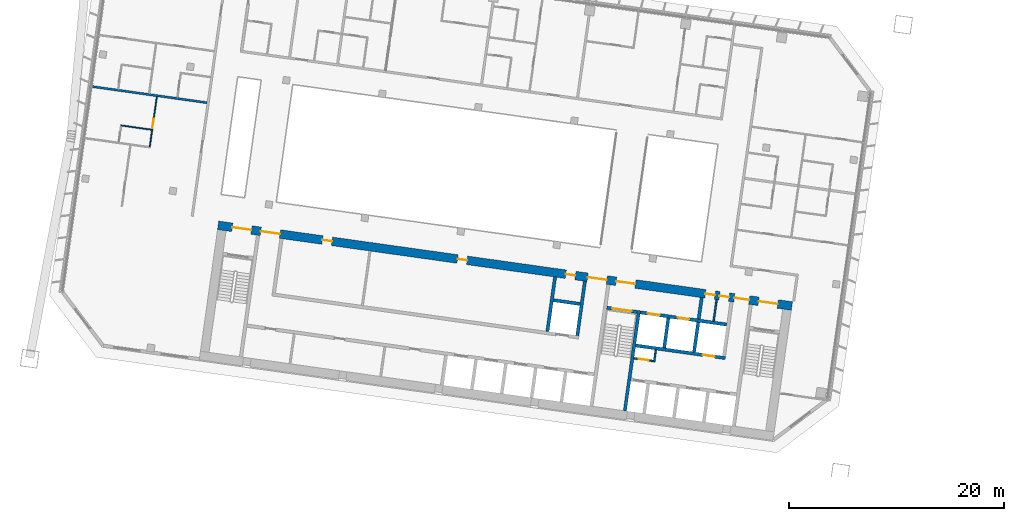
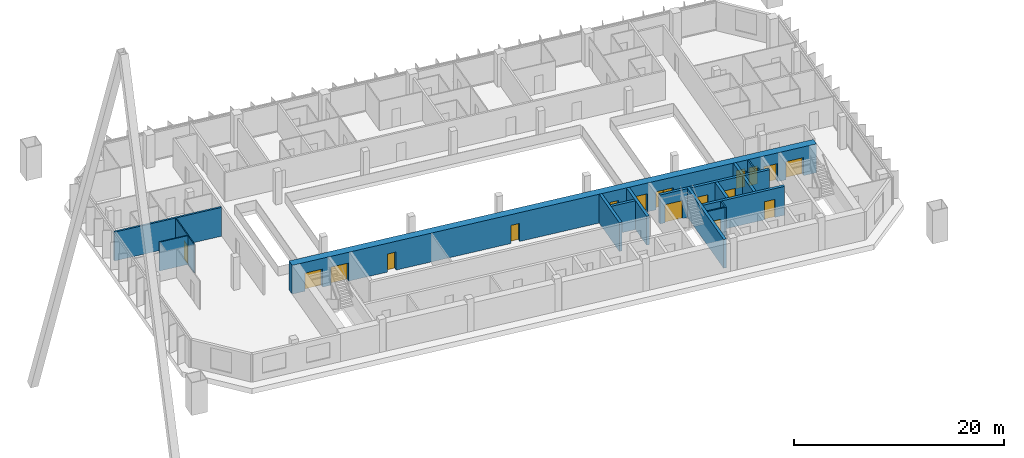
# One storey, part 22 of 33: 17 doors, 17 walls, 17 openings.
"""IFC4 building model written with IfcOpenShell, lengths in metres."""

from ifc_helpers import new_model, si_unit, direction, frame, frame_2d, origin, place, context, subcontext, project, spatial, rectangle, extrude, material, layer, layer_set, type_object, element, fill, save


model = new_model("IFC4")

# Units and contexts
model_context = context("Model", 3, precision=1e-05, world=origin(), true_north=direction((0.0, 1.0)))
body_context = subcontext(model_context, "Body", "Model", "MODEL_VIEW")
ifc_project = project(units=[si_unit("LENGTHUNIT", "METRE"), si_unit("AREAUNIT", "SQUARE_METRE"), si_unit("VOLUMEUNIT", "CUBIC_METRE"), si_unit("PLANEANGLEUNIT", "RADIAN"), si_unit("MASSUNIT", "GRAM", prefix="KILO")], contexts=[model_context])

# Site, building, storey
site_placement = place(None, origin())
site = spatial("IfcSite", under=ifc_project, at=site_placement, CompositionType="ELEMENT")
building_placement = place(site_placement, origin())
building = spatial("IfcBuilding", under=site, at=building_placement, Name="Mirante Cascada Hotel Towers", CompositionType="ELEMENT")
storey_placement = place(building_placement, frame((0.0, 0.0, 121.5)))
storey = spatial("IfcBuildingStorey", under=building, at=storey_placement, Name="L27", CompositionType="ELEMENT", Elevation=121.5)

# Walls
ifc_material_1 = material(Name="Fire-rated plasterboard on metal studs")
ifc_layer_1 = layer(ifc_material_1, 0.2)
ifc_layer_set_1 = layer_set([ifc_layer_1], Name="Compartment wall 200 EI 120")
wall_type_1 = type_object("IfcWallType", Name="Compartment wall 200 EI 120", PredefinedType="PARTITIONING", material=ifc_layer_set_1)
wall_1_placement = place(storey_placement, frame((-100.6266, 12.8067, 0.0), z_axis=(0.0, 0.0, 1.0), x_axis=(0.990268, -0.1391733, 0.0)))
element("IfcWall", 1, at=wall_1_placement, inside=storey, type_object=wall_type_1, Name="Wall 1-L27-09", PredefinedType="PARTITIONING", context=body_context, shape_type="SweptSolid", body=[
    extrude(rectangle(XDim=11.0, YDim=0.2, at=frame_2d((5.5, 0.0))), origin(), (0.0, 0.0, 1.0), 3.35),
])
ifc_material_2 = material(Name="Masonry block", Category="masonry")
ifc_layer_2 = layer(ifc_material_2, 0.15)
ifc_layer_set_2 = layer_set([ifc_layer_2], Name="Core room partition 150 block EI 30")
wall_type_2 = type_object("IfcWallType", Name="Core room partition 150 block EI 30", PredefinedType="PARTITIONING", material=ifc_layer_set_2)
wall_2_placement = place(storey_placement, frame((-48.2295, -12.793, 0.0), z_axis=(0.0, 0.0, 1.0), x_axis=(0.1391935, 0.9902652, 0.0)))
element("IfcWall", 2, at=wall_2_placement, inside=storey, type_object=wall_type_2, Name="Core wall partition T1 L27 2", PredefinedType="PARTITIONING", context=body_context, shape_type="SweptSolid", body=[
    extrude(rectangle(XDim=1.1251, YDim=0.15, at=frame_2d((0.5626, 0.0))), origin(), (0.0, 0.0, 1.0), 3.35),
])

# Wall, opening, door
wall_3_placement = place(storey_placement, frame((-48.2933, -12.7083, 0.0), z_axis=(0.0, 0.0, 1.0), x_axis=(-0.990268, 0.1391734, 0.0)))
wall_3 = element("IfcWall", 3, at=wall_3_placement, inside=storey, type_object=wall_type_2, Name="Core wall partition T1 L27 3", PredefinedType="PARTITIONING", context=body_context, shape_type="SweptSolid", body=[
    extrude(rectangle(XDim=1.8251, YDim=0.15, at=frame_2d((0.9126, 0.0))), origin(), (0.0, 0.0, 1.0), 3.35),
])
opening_1_placement = place(wall_3_placement, frame((0.4625, 0.0, 0.0)))
opening_1 = element("IfcOpeningElement", 4, at=opening_1_placement, cuts=wall_3, Name="Opening D1-27-C23", PredefinedType="OPENING", context=body_context, shape_type="SweptSolid", body=[
    extrude(rectangle(XDim=0.9, YDim=2.1, at=frame_2d((0.45, 1.05))), frame((0.0, 0.075, 0.0), z_axis=(0.0, -1.0, 0.0), x_axis=(1.0, 0.0, 0.0)), (0.0, 0.0, 1.0), 0.15),
])
ifc_material_3 = material(Name="Hollow metal fire door leaf")
door_type_1 = type_object("IfcDoorType", Name="Fire door 900x2100 FD60", OperationType="NOTDEFINED", PredefinedType="DOOR", material=ifc_material_3)
door_1_placement = place(opening_1_placement, origin())
door_1 = element("IfcDoor", 5, at=door_1_placement, inside=storey, type_object=door_type_1, Name="Riser door T1 L27 23", OperationType="SINGLE_SWING_LEFT", OverallHeight=2.1, OverallWidth=0.9, PredefinedType="DOOR", context=body_context, shape_type="SweptSolid", body=[
    extrude(rectangle(XDim=0.9, YDim=2.1, at=frame_2d((0.45, 1.05))), frame((0.0, 0.025, 0.0), z_axis=(0.0, -1.0, 0.0), x_axis=(1.0, 0.0, 0.0)), (0.0, 0.0, 1.0), 0.05),
])
fill(opening_1, door_1)

# Walls
wall_4_placement = place(storey_placement, frame((-42.6979, -9.0009, 0.0), z_axis=(0.0, 0.0, 1.0), x_axis=(0.1391529, 0.9902709, 0.0)))
element("IfcWall", 6, at=wall_4_placement, inside=storey, type_object=wall_type_2, Name="Core wall partition T1 L27 4", PredefinedType="PARTITIONING", context=body_context, shape_type="SweptSolid", body=[
    extrude(rectangle(XDim=2.0, YDim=0.15, at=frame_2d((1.0, 0.0))), origin(), (0.0, 0.0, 1.0), 3.35),
])
ifc_material_4 = material(Name="Masonry block", Category="masonry")
ifc_layer_3 = layer(ifc_material_4, 0.3)
ifc_layer_set_3 = layer_set([ifc_layer_3], Name="Core wall 300 block EI 120")
wall_type_3 = type_object("IfcWallType", Name="Core wall 300 block EI 120", PredefinedType="PARTITIONING", material=ifc_layer_set_3)
wall_5_placement = place(storey_placement, frame((-44.0843, -8.8061, 0.0), z_axis=(0.0, 0.0, 1.0), x_axis=(0.1391951, 0.990265, 0.0)))
element("IfcWall", 7, at=wall_5_placement, inside=storey, type_object=wall_type_3, Name="Core wall partition T1 L27 1", PredefinedType="PARTITIONING", context=body_context, shape_type="SweptSolid", body=[
    extrude(rectangle(XDim=2.0001, YDim=0.3, at=frame_2d((1.0001, 0.0))), origin(), (0.0, 0.0, 1.0), 3.35),
])
ifc_material_5 = material(Name="Plasterboard on metal studs")
ifc_layer_4 = layer(ifc_material_5, 0.1)
ifc_layer_set_4 = layer_set([ifc_layer_4], Name="Partition 100")
wall_type_4 = type_object("IfcWallType", Name="Partition 100", PredefinedType="PARTITIONING", material=ifc_layer_set_4)
wall_6_placement = place(storey_placement, frame((-97.7546, 9.1716, 0.0), z_axis=(0.0, 0.0, 1.0), x_axis=(0.9902683, -0.1391714, 0.0)))
element("IfcWall", 8, at=wall_6_placement, inside=storey, type_object=wall_type_4, Name="Wall 1-L27-05", PredefinedType="PARTITIONING", context=body_context, shape_type="SweptSolid", body=[
    extrude(rectangle(XDim=2.9, YDim=0.1, at=frame_2d((1.45, 0.0))), origin(), (0.0, 0.0, 1.0), 3.35),
])

# Wall, opening, door
wall_7_placement = place(storey_placement, frame((-95.0537, 7.1932, 0.0), z_axis=(0.0, 0.0, 1.0), x_axis=(0.139176, 0.9902677, 0.0)))
wall_7 = element("IfcWall", 9, at=wall_7_placement, inside=storey, type_object=wall_type_4, Name="Wall 1-L27-58", PredefinedType="PARTITIONING", context=body_context, shape_type="SweptSolid", body=[
    extrude(rectangle(XDim=4.6833, YDim=0.1, at=frame_2d((2.3416, 0.0))), origin(), (0.0, 0.0, 1.0), 3.35),
])
opening_2_placement = place(wall_7_placement, frame((1.7333, 0.0, 0.0)))
opening_2 = element("IfcOpeningElement", 10, at=opening_2_placement, cuts=wall_7, Name="Opening D1-L27-38", PredefinedType="OPENING", context=body_context, shape_type="SweptSolid", body=[
    extrude(rectangle(XDim=0.9, YDim=2.1, at=frame_2d((0.45, 1.05))), frame((0.0, 0.05, 0.0), z_axis=(0.0, -1.0, 0.0), x_axis=(1.0, 0.0, 0.0)), (0.0, 0.0, 1.0), 0.1),
])
ifc_material_6 = material(Name="Timber door leaf", Category="wood")
door_type_2 = type_object("IfcDoorType", Name="Room door DG3 900x2100", OperationType="SINGLE_SWING_LEFT", PredefinedType="DOOR", material=ifc_material_6)
door_2_placement = place(opening_2_placement, frame((0.9, 0.0, 0.0), z_axis=(0.0, 0.0, 1.0), x_axis=(-1.0, 0.0, 0.0)))
door_2 = element("IfcDoor", 11, at=door_2_placement, inside=storey, type_object=door_type_2, Name="Door D1-L27-38", OperationType="SINGLE_SWING_RIGHT", OverallHeight=2.1, OverallWidth=0.9, PredefinedType="DOOR", context=body_context, shape_type="SweptSolid", body=[
    extrude(rectangle(XDim=0.9, YDim=2.1, at=frame_2d((0.45, 1.05))), frame((0.0, 0.025, 0.0), z_axis=(0.0, -1.0, 0.0), x_axis=(1.0, 0.0, 0.0)), (0.0, 0.0, 1.0), 0.05),
])
fill(opening_2, door_2)

# Wall
ifc_material_7 = material(Name="Concrete C50/60", Category="concrete")
ifc_layer_5 = layer(ifc_material_7, 0.3)
ifc_layer_set_5 = layer_set([ifc_layer_5], Name="RC core wall 300 C50/60")
wall_type_5 = type_object("IfcWallType", Name="RC core wall 300 C50/60", PredefinedType="SHEAR", material=ifc_layer_set_5)
wall_8_placement = place(storey_placement, frame((-50.938, -17.3352, 0.0), z_axis=(0.0, 0.0, 1.0), x_axis=(0.1391706, 0.9902684, 0.0)))
element("IfcWall", 12, at=wall_8_placement, inside=storey, type_object=wall_type_5, Name="Core wall T1:L27:6", PredefinedType="SHEAR", context=body_context, shape_type="SweptSolid", body=[
    extrude(rectangle(XDim=9.4, YDim=0.3, at=frame_2d((4.7, 0.0))), origin(), (0.0, 0.0, 1.0), 3.35),
])

# Wall, opening, door
wall_9_placement = place(storey_placement, frame((-49.7992, -8.1544, 0.0), z_axis=(0.0, 0.0, 1.0), x_axis=(-0.9902656, 0.1391909, 0.0)))
wall_9 = element("IfcWall", 13, at=wall_9_placement, inside=storey, type_object=wall_type_5, Name="Core wall T1:L27:10", PredefinedType="SHEAR", context=body_context, shape_type="SweptSolid", body=[
    extrude(rectangle(XDim=2.85, YDim=0.3, at=frame_2d((1.425, 0.0))), origin(), (0.0, 0.0, 1.0), 3.35),
])
opening_3_placement = place(wall_9_placement, frame((0.525, 0.0, 0.0)))
opening_3 = element("IfcOpeningElement", 14, at=opening_3_placement, cuts=wall_9, Name="Opening D1-27-C15", PredefinedType="OPENING", context=body_context, shape_type="SweptSolid", body=[
    extrude(rectangle(XDim=1.8, YDim=2.1, at=frame_2d((0.9, 1.05))), frame((0.0, 0.15, 0.0), z_axis=(0.0, -1.0, 0.0), x_axis=(1.0, 0.0, 0.0)), (0.0, 0.0, 1.0), 0.3),
])
ifc_material_8 = material(Name="Hollow metal fire door leaf")
door_type_3 = type_object("IfcDoorType", Name="Double fire door 1800x2100 FD60", OperationType="DOUBLE_DOOR_SINGLE_SWING", PredefinedType="DOOR", material=ifc_material_8)
door_3_placement = place(opening_3_placement, origin())
door_3 = element("IfcDoor", 15, at=door_3_placement, inside=storey, type_object=door_type_3, Name="Stair door T1 L27 15", OperationType="DOUBLE_DOOR_SINGLE_SWING", OverallHeight=2.1, OverallWidth=1.8, PredefinedType="DOOR", context=body_context, shape_type="SweptSolid", body=[
    extrude(rectangle(XDim=0.895, YDim=2.1, at=frame_2d((0.4475, 1.05))), frame((0.0, 0.025, 0.0), z_axis=(0.0, -1.0, 0.0), x_axis=(1.0, 0.0, 0.0)), (0.0, 0.0, 1.0), 0.05),
    extrude(rectangle(XDim=0.895, YDim=2.1, at=frame_2d((1.3525, 1.05))), frame((0.0, 0.025, 0.0), z_axis=(0.0, -1.0, 0.0), x_axis=(1.0, 0.0, 0.0)), (0.0, 0.0, 1.0), 0.05),
])
fill(opening_3, door_3)

wall_10_placement = place(storey_placement, frame((-41.6153, -12.435, 0.0), z_axis=(0.0, 0.0, 1.0), x_axis=(-0.9902691, 0.139166, 0.0)))
wall_10 = element("IfcWall", 16, at=wall_10_placement, inside=storey, type_object=wall_type_5, Name="Core wall T1:L27:13", PredefinedType="SHEAR", context=body_context, shape_type="SweptSolid", body=[
    extrude(rectangle(XDim=8.4, YDim=0.3, at=frame_2d((4.2, 0.0))), origin(), (0.0, 0.0, 1.0), 3.35),
])
opening_4_placement = place(wall_10_placement, frame((1.0, 0.0, 0.0)))
opening_4 = element("IfcOpeningElement", 17, at=opening_4_placement, cuts=wall_10, Name="Opening LD", PredefinedType="OPENING", context=body_context, shape_type="SweptSolid", body=[
    extrude(rectangle(XDim=1.1, YDim=2.1, at=frame_2d((0.55, 1.05))), frame((0.0, 0.15, 0.0), z_axis=(0.0, -1.0, 0.0), x_axis=(1.0, 0.0, 0.0)), (0.0, 0.0, 1.0), 0.3),
])
ifc_material_9 = material(Name="Stainless steel", Category="steel")
door_type_4 = type_object("IfcDoorType", Name="Lift landing door 1100x2100 EI 120", OperationType="DOUBLE_DOOR_SLIDING", PredefinedType="DOOR", material=ifc_material_9)
door_4_placement = place(opening_4_placement, origin())
door_4 = element("IfcDoor", 18, at=door_4_placement, inside=storey, type_object=door_type_4, Name="Lift landing door HR1-4 L27", OperationType="DOUBLE_DOOR_SLIDING", OverallHeight=2.1, OverallWidth=1.1, PredefinedType="DOOR", context=body_context, shape_type="SweptSolid", body=[
    extrude(rectangle(XDim=0.545, YDim=2.1, at=frame_2d((0.2725, 1.05))), frame((0.0, 0.025, 0.0), z_axis=(0.0, -1.0, 0.0), x_axis=(1.0, 0.0, 0.0)), (0.0, 0.0, 1.0), 0.05),
    extrude(rectangle(XDim=0.545, YDim=2.1, at=frame_2d((0.8275, 1.05))), frame((0.0, 0.025, 0.0), z_axis=(0.0, -1.0, 0.0), x_axis=(1.0, 0.0, 0.0)), (0.0, 0.0, 1.0), 0.05),
])
fill(opening_4, door_4)

# Wall, openings, doors
wall_11_placement = place(storey_placement, frame((-41.481, -9.3234, 0.0), z_axis=(0.0, 0.0, 1.0), x_axis=(-0.9902679, 0.1391741, 0.0)))
wall_11 = element("IfcWall", 19, at=wall_11_placement, inside=storey, type_object=wall_type_5, Name="Core wall T1:L27:14", PredefinedType="SHEAR", context=body_context, shape_type="SweptSolid", body=[
    extrude(rectangle(XDim=8.0999, YDim=0.3, at=frame_2d((4.05, 0.0))), origin(), (0.0, 0.0, 1.0), 3.35),
])
opening_5_placement = place(wall_11_placement, frame((3.5, 0.0, 0.0)))
opening_5 = element("IfcOpeningElement", 20, at=opening_5_placement, cuts=wall_11, Name="Opening LD", PredefinedType="OPENING", context=body_context, shape_type="SweptSolid", body=[
    extrude(rectangle(XDim=1.1, YDim=2.1, at=frame_2d((0.55, 1.05))), frame((0.0, 0.15, 0.0), z_axis=(0.0, -1.0, 0.0), x_axis=(1.0, 0.0, 0.0)), (0.0, 0.0, 1.0), 0.3),
])
opening_6_placement = place(wall_11_placement, frame((6.3, 0.0, 0.0)))
opening_6 = element("IfcOpeningElement", 21, at=opening_6_placement, cuts=wall_11, Name="Opening LD", PredefinedType="OPENING", context=body_context, shape_type="SweptSolid", body=[
    extrude(rectangle(XDim=1.1, YDim=2.1, at=frame_2d((0.55, 1.05))), frame((0.0, 0.15, 0.0), z_axis=(0.0, -1.0, 0.0), x_axis=(1.0, 0.0, 0.0)), (0.0, 0.0, 1.0), 0.3),
])
door_5_placement = place(opening_5_placement, origin())
door_5 = element("IfcDoor", 22, at=door_5_placement, inside=storey, type_object=door_type_4, Name="Lift landing door FF1 L27", OperationType="DOUBLE_DOOR_SLIDING", OverallHeight=2.1, OverallWidth=1.1, PredefinedType="DOOR", context=body_context, shape_type="SweptSolid", body=[
    extrude(rectangle(XDim=0.545, YDim=2.1, at=frame_2d((0.2725, 1.05))), frame((0.0, 0.025, 0.0), z_axis=(0.0, -1.0, 0.0), x_axis=(1.0, 0.0, 0.0)), (0.0, 0.0, 1.0), 0.05),
    extrude(rectangle(XDim=0.545, YDim=2.1, at=frame_2d((0.8275, 1.05))), frame((0.0, 0.025, 0.0), z_axis=(0.0, -1.0, 0.0), x_axis=(1.0, 0.0, 0.0)), (0.0, 0.0, 1.0), 0.05),
])
fill(opening_5, door_5)
door_6_placement = place(opening_6_placement, origin())
door_6 = element("IfcDoor", 23, at=door_6_placement, inside=storey, type_object=door_type_4, Name="Lift landing door FF2 L27", OperationType="DOUBLE_DOOR_SLIDING", OverallHeight=2.1, OverallWidth=1.1, PredefinedType="DOOR", context=body_context, shape_type="SweptSolid", body=[
    extrude(rectangle(XDim=0.545, YDim=2.1, at=frame_2d((0.2725, 1.05))), frame((0.0, 0.025, 0.0), z_axis=(0.0, -1.0, 0.0), x_axis=(1.0, 0.0, 0.0)), (0.0, 0.0, 1.0), 0.05),
    extrude(rectangle(XDim=0.545, YDim=2.1, at=frame_2d((0.8275, 1.05))), frame((0.0, 0.025, 0.0), z_axis=(0.0, -1.0, 0.0), x_axis=(1.0, 0.0, 0.0)), (0.0, 0.0, 1.0), 0.05),
])
fill(opening_6, door_6)

# Walls
for number, where, z_axis, x_axis, name in (
    (24, (-44.5157, -11.8759, 0.0), (0.0, 0.0, 1.0), (0.139181, 0.990267, 0.0), "Core wall T1:L27:18"),
    (25, (-47.2885, -11.4862, 0.0), (0.0, 0.0, 1.0), (0.139181, 0.990267, 0.0), "Core wall T1:L27:19"),
):
    element("IfcWall", number, at=place(storey_placement, frame(where, z_axis=z_axis, x_axis=x_axis)), inside=storey, type_object=wall_type_5, Name=name, PredefinedType="SHEAR", context=body_context, shape_type="SweptSolid", body=[
        extrude(rectangle(XDim=2.8, YDim=0.3, at=frame_2d((1.4, 0.0))), origin(), (0.0, 0.0, 1.0), 3.35),
    ])
for number, where, z_axis, x_axis, name in (
    (26, (-55.3592, -10.352, 0.0), (0.0, 0.0, 1.0), (0.1391755, 0.9902677, 0.0), "Core wall T1:L27:34"),
    (27, (-58.1319, -9.9623, 0.0), (0.0, 0.0, 1.0), (0.1391755, 0.9902677, 0.0), "Core wall T1:L27:36"),
):
    element("IfcWall", number, at=place(storey_placement, frame(where, z_axis=z_axis, x_axis=x_axis)), inside=storey, type_object=wall_type_5, Name=name, PredefinedType="SHEAR", context=body_context, shape_type="SweptSolid", body=[
        extrude(rectangle(XDim=5.1, YDim=0.3, at=frame_2d((2.55, 0.0))), origin(), (0.0, 0.0, 1.0), 3.35),
    ])
wall_12_placement = place(storey_placement, frame((-55.0971, -7.4098, 0.0), z_axis=(0.0, 0.0, 1.0), x_axis=(-0.9902701, 0.1391586, 0.0)))
element("IfcWall", 28, at=wall_12_placement, inside=storey, type_object=wall_type_5, Name="Core wall T1:L27:37", PredefinedType="SHEAR", context=body_context, shape_type="SweptSolid", body=[
    extrude(rectangle(XDim=2.5, YDim=0.3, at=frame_2d((1.25, 0.0))), origin(), (0.0, 0.0, 1.0), 3.35),
])

# Wall, openings, doors
ifc_material_10 = material(Name="Concrete C50/60", Category="concrete")
ifc_layer_6 = layer(ifc_material_10, 0.8)
ifc_layer_set_6 = layer_set([ifc_layer_6], Name="RC core wall 800 C50/60")
wall_type_6 = type_object("IfcWallType", Name="RC core wall 800 C50/60", PredefinedType="SHEAR", material=ifc_layer_set_6)
wall_13_placement = place(storey_placement, frame((-35.432, -7.5985, 0.0), z_axis=(0.0, 0.0, 1.0), x_axis=(-0.9902681, 0.1391729, 0.0)))
wall_13 = element("IfcWall", 29, at=wall_13_placement, inside=storey, type_object=wall_type_6, Name="Core wall T1:L27:2", PredefinedType="SHEAR", context=body_context, shape_type="SweptSolid", body=[
    extrude(rectangle(XDim=53.8, YDim=0.8, at=frame_2d((26.9, 0.0))), origin(), (0.0, 0.0, 1.0), 3.35),
])
opening_7_placement = place(wall_13_placement, frame((1.325, 0.0, 0.0)))
opening_7 = element("IfcOpeningElement", 30, at=opening_7_placement, cuts=wall_13, Name="Opening D1-27-C14", PredefinedType="OPENING", context=body_context, shape_type="SweptSolid", body=[
    extrude(rectangle(XDim=1.8, YDim=2.1, at=frame_2d((0.9, 1.05))), frame((0.0, 0.4, 0.0), z_axis=(0.0, -1.0, 0.0), x_axis=(1.0, 0.0, 0.0)), (0.0, 0.0, 1.0), 0.8),
])
opening_8_placement = place(wall_13_placement, frame((14.675, 0.0, 0.0)))
opening_8 = element("IfcOpeningElement", 31, at=opening_8_placement, cuts=wall_13, Name="Opening D1-27-C16", PredefinedType="OPENING", context=body_context, shape_type="SweptSolid", body=[
    extrude(rectangle(XDim=1.8, YDim=2.1, at=frame_2d((0.9, 1.05))), frame((0.0, 0.4, 0.0), z_axis=(0.0, -1.0, 0.0), x_axis=(1.0, 0.0, 0.0)), (0.0, 0.0, 1.0), 0.8),
])
opening_9_placement = place(wall_13_placement, frame((50.675, 0.0, 0.0)))
opening_9 = element("IfcOpeningElement", 32, at=opening_9_placement, cuts=wall_13, Name="Opening D1-27-C18", PredefinedType="OPENING", context=body_context, shape_type="SweptSolid", body=[
    extrude(rectangle(XDim=1.8, YDim=2.1, at=frame_2d((0.9, 1.05))), frame((0.0, 0.4, 0.0), z_axis=(0.0, -1.0, 0.0), x_axis=(1.0, 0.0, 0.0)), (0.0, 0.0, 1.0), 0.8),
])
opening_10_placement = place(wall_13_placement, frame((4.0, 0.0, 0.0)))
opening_10 = element("IfcOpeningElement", 33, at=opening_10_placement, cuts=wall_13, Name="Opening D1-27-C19", PredefinedType="OPENING", context=body_context, shape_type="SweptSolid", body=[
    extrude(rectangle(XDim=1.4, YDim=2.1, at=frame_2d((0.7, 1.05))), frame((0.0, 0.4, 0.0), z_axis=(0.0, -1.0, 0.0), x_axis=(1.0, 0.0, 0.0)), (0.0, 0.0, 1.0), 0.8),
])
opening_11_placement = place(wall_13_placement, frame((17.35, 0.0, 0.0)))
opening_11 = element("IfcOpeningElement", 34, at=opening_11_placement, cuts=wall_13, Name="Opening D1-27-C20", PredefinedType="OPENING", context=body_context, shape_type="SweptSolid", body=[
    extrude(rectangle(XDim=1.8, YDim=2.1, at=frame_2d((0.9, 1.05))), frame((0.0, 0.4, 0.0), z_axis=(0.0, -1.0, 0.0), x_axis=(1.0, 0.0, 0.0)), (0.0, 0.0, 1.0), 0.8),
])
opening_12_placement = place(wall_13_placement, frame((48.0, 0.0, 0.0)))
opening_12 = element("IfcOpeningElement", 35, at=opening_12_placement, cuts=wall_13, Name="Opening D1-27-C21", PredefinedType="OPENING", context=body_context, shape_type="SweptSolid", body=[
    extrude(rectangle(XDim=1.8, YDim=2.1, at=frame_2d((0.9, 1.05))), frame((0.0, 0.4, 0.0), z_axis=(0.0, -1.0, 0.0), x_axis=(1.0, 0.0, 0.0)), (0.0, 0.0, 1.0), 0.8),
])
opening_13_placement = place(wall_13_placement, frame((5.8875, 0.0, 0.0)))
opening_13 = element("IfcOpeningElement", 36, at=opening_13_placement, cuts=wall_13, Name="Opening D1-27-C24", PredefinedType="OPENING", context=body_context, shape_type="SweptSolid", body=[
    extrude(rectangle(XDim=0.9, YDim=2.1, at=frame_2d((0.45, 1.05))), frame((0.0, 0.4, 0.0), z_axis=(0.0, -1.0, 0.0), x_axis=(1.0, 0.0, 0.0)), (0.0, 0.0, 1.0), 0.8),
])
opening_14_placement = place(wall_13_placement, frame((7.2125, 0.0, 0.0)))
opening_14 = element("IfcOpeningElement", 37, at=opening_14_placement, cuts=wall_13, Name="Opening D1-27-C25", PredefinedType="OPENING", context=body_context, shape_type="SweptSolid", body=[
    extrude(rectangle(XDim=0.9, YDim=2.1, at=frame_2d((0.45, 1.05))), frame((0.0, 0.4, 0.0), z_axis=(0.0, -1.0, 0.0), x_axis=(1.0, 0.0, 0.0)), (0.0, 0.0, 1.0), 0.8),
])
opening_15_placement = place(wall_13_placement, frame((20.3, 0.0, 0.0)))
opening_15 = element("IfcOpeningElement", 38, at=opening_15_placement, cuts=wall_13, Name="Opening D1-27-C29", PredefinedType="OPENING", context=body_context, shape_type="SweptSolid", body=[
    extrude(rectangle(XDim=0.9, YDim=2.1, at=frame_2d((0.45, 1.05))), frame((0.0, 0.4, 0.0), z_axis=(0.0, -1.0, 0.0), x_axis=(1.0, 0.0, 0.0)), (0.0, 0.0, 1.0), 0.8),
])
opening_16_placement = place(wall_13_placement, frame((30.45, 0.0, 0.0)))
opening_16 = element("IfcOpeningElement", 39, at=opening_16_placement, cuts=wall_13, Name="Opening D1-27-C30", PredefinedType="OPENING", context=body_context, shape_type="SweptSolid", body=[
    extrude(rectangle(XDim=0.9, YDim=2.1, at=frame_2d((0.45, 1.05))), frame((0.0, 0.4, 0.0), z_axis=(0.0, -1.0, 0.0), x_axis=(1.0, 0.0, 0.0)), (0.0, 0.0, 1.0), 0.8),
])
opening_17_placement = place(wall_13_placement, frame((43.125, 0.0, 0.0)))
opening_17 = element("IfcOpeningElement", 40, at=opening_17_placement, cuts=wall_13, Name="Opening D1-27-C31", PredefinedType="OPENING", context=body_context, shape_type="SweptSolid", body=[
    extrude(rectangle(XDim=0.9, YDim=2.1, at=frame_2d((0.45, 1.05))), frame((0.0, 0.4, 0.0), z_axis=(0.0, -1.0, 0.0), x_axis=(1.0, 0.0, 0.0)), (0.0, 0.0, 1.0), 0.8),
])
ifc_material_11 = material(Name="Hollow metal fire door leaf")
door_type_5 = type_object("IfcDoorType", Name="Double fire door 1400x2100 FD60", OperationType="DOUBLE_DOOR_SINGLE_SWING", PredefinedType="DOOR", material=ifc_material_11)
door_7_placement = place(opening_10_placement, frame((1.4, 0.0, 0.0), z_axis=(0.0, 0.0, 1.0), x_axis=(-1.0, 0.0, 0.0)))
door_7 = element("IfcDoor", 41, at=door_7_placement, inside=storey, type_object=door_type_5, Name="Exit door to gallery T1 L27 19", OperationType="DOUBLE_DOOR_SINGLE_SWING", OverallHeight=2.1, OverallWidth=1.4, PredefinedType="DOOR", context=body_context, shape_type="SweptSolid", body=[
    extrude(rectangle(XDim=0.695, YDim=2.1, at=frame_2d((0.3475, 1.05))), frame((0.0, 0.025, 0.0), z_axis=(0.0, -1.0, 0.0), x_axis=(1.0, 0.0, 0.0)), (0.0, 0.0, 1.0), 0.05),
    extrude(rectangle(XDim=0.695, YDim=2.1, at=frame_2d((1.0525, 1.05))), frame((0.0, 0.025, 0.0), z_axis=(0.0, -1.0, 0.0), x_axis=(1.0, 0.0, 0.0)), (0.0, 0.0, 1.0), 0.05),
])
fill(opening_10, door_7)
door_8_placement = place(opening_7_placement, origin())
door_8 = element("IfcDoor", 42, at=door_8_placement, inside=storey, type_object=door_type_3, Name="Exit door to gallery T1 L27 14", OperationType="DOUBLE_DOOR_SINGLE_SWING", OverallHeight=2.1, OverallWidth=1.8, PredefinedType="DOOR", context=body_context, shape_type="SweptSolid", body=[
    extrude(rectangle(XDim=0.895, YDim=2.1, at=frame_2d((0.4475, 1.05))), frame((0.0, 0.025, 0.0), z_axis=(0.0, -1.0, 0.0), x_axis=(1.0, 0.0, 0.0)), (0.0, 0.0, 1.0), 0.05),
    extrude(rectangle(XDim=0.895, YDim=2.1, at=frame_2d((1.3525, 1.05))), frame((0.0, 0.025, 0.0), z_axis=(0.0, -1.0, 0.0), x_axis=(1.0, 0.0, 0.0)), (0.0, 0.0, 1.0), 0.05),
])
fill(opening_7, door_8)
door_9_placement = place(opening_8_placement, origin())
door_9 = element("IfcDoor", 43, at=door_9_placement, inside=storey, type_object=door_type_3, Name="Exit door to gallery T1 L27 16", OperationType="DOUBLE_DOOR_SINGLE_SWING", OverallHeight=2.1, OverallWidth=1.8, PredefinedType="DOOR", context=body_context, shape_type="SweptSolid", body=[
    extrude(rectangle(XDim=0.895, YDim=2.1, at=frame_2d((0.4475, 1.05))), frame((0.0, 0.025, 0.0), z_axis=(0.0, -1.0, 0.0), x_axis=(1.0, 0.0, 0.0)), (0.0, 0.0, 1.0), 0.05),
    extrude(rectangle(XDim=0.895, YDim=2.1, at=frame_2d((1.3525, 1.05))), frame((0.0, 0.025, 0.0), z_axis=(0.0, -1.0, 0.0), x_axis=(1.0, 0.0, 0.0)), (0.0, 0.0, 1.0), 0.05),
])
fill(opening_8, door_9)
door_10_placement = place(opening_9_placement, origin())
door_10 = element("IfcDoor", 44, at=door_10_placement, inside=storey, type_object=door_type_3, Name="Exit door to gallery T1 L27 18", OperationType="DOUBLE_DOOR_SINGLE_SWING", OverallHeight=2.1, OverallWidth=1.8, PredefinedType="DOOR", context=body_context, shape_type="SweptSolid", body=[
    extrude(rectangle(XDim=0.895, YDim=2.1, at=frame_2d((0.4475, 1.05))), frame((0.0, 0.025, 0.0), z_axis=(0.0, -1.0, 0.0), x_axis=(1.0, 0.0, 0.0)), (0.0, 0.0, 1.0), 0.05),
    extrude(rectangle(XDim=0.895, YDim=2.1, at=frame_2d((1.3525, 1.05))), frame((0.0, 0.025, 0.0), z_axis=(0.0, -1.0, 0.0), x_axis=(1.0, 0.0, 0.0)), (0.0, 0.0, 1.0), 0.05),
])
fill(opening_9, door_10)
door_11_placement = place(opening_11_placement, frame((1.8, 0.0, 0.0), z_axis=(0.0, 0.0, 1.0), x_axis=(-1.0, 0.0, 0.0)))
door_11 = element("IfcDoor", 45, at=door_11_placement, inside=storey, type_object=door_type_3, Name="Exit door to gallery T1 L27 20", OperationType="DOUBLE_DOOR_SINGLE_SWING", OverallHeight=2.1, OverallWidth=1.8, PredefinedType="DOOR", context=body_context, shape_type="SweptSolid", body=[
    extrude(rectangle(XDim=0.895, YDim=2.1, at=frame_2d((0.4475, 1.05))), frame((0.0, 0.025, 0.0), z_axis=(0.0, -1.0, 0.0), x_axis=(1.0, 0.0, 0.0)), (0.0, 0.0, 1.0), 0.05),
    extrude(rectangle(XDim=0.895, YDim=2.1, at=frame_2d((1.3525, 1.05))), frame((0.0, 0.025, 0.0), z_axis=(0.0, -1.0, 0.0), x_axis=(1.0, 0.0, 0.0)), (0.0, 0.0, 1.0), 0.05),
])
fill(opening_11, door_11)
door_12_placement = place(opening_12_placement, frame((1.8, 0.0, 0.0), z_axis=(0.0, 0.0, 1.0), x_axis=(-1.0, 0.0, 0.0)))
door_12 = element("IfcDoor", 46, at=door_12_placement, inside=storey, type_object=door_type_3, Name="Exit door to gallery T1 L27 21", OperationType="DOUBLE_DOOR_SINGLE_SWING", OverallHeight=2.1, OverallWidth=1.8, PredefinedType="DOOR", context=body_context, shape_type="SweptSolid", body=[
    extrude(rectangle(XDim=0.895, YDim=2.1, at=frame_2d((0.4475, 1.05))), frame((0.0, 0.025, 0.0), z_axis=(0.0, -1.0, 0.0), x_axis=(1.0, 0.0, 0.0)), (0.0, 0.0, 1.0), 0.05),
    extrude(rectangle(XDim=0.895, YDim=2.1, at=frame_2d((1.3525, 1.05))), frame((0.0, 0.025, 0.0), z_axis=(0.0, -1.0, 0.0), x_axis=(1.0, 0.0, 0.0)), (0.0, 0.0, 1.0), 0.05),
])
fill(opening_12, door_12)
door_13_placement = place(opening_13_placement, origin())
door_13 = element("IfcDoor", 47, at=door_13_placement, inside=storey, type_object=door_type_1, Name="Room door T1 L27 24", OperationType="SINGLE_SWING_RIGHT", OverallHeight=2.1, OverallWidth=0.9, PredefinedType="DOOR", context=body_context, shape_type="SweptSolid", body=[
    extrude(rectangle(XDim=0.9, YDim=2.1, at=frame_2d((0.45, 1.05))), frame((0.0, 0.025, 0.0), z_axis=(0.0, -1.0, 0.0), x_axis=(1.0, 0.0, 0.0)), (0.0, 0.0, 1.0), 0.05),
])
fill(opening_13, door_13)
door_14_placement = place(opening_14_placement, origin())
door_14 = element("IfcDoor", 48, at=door_14_placement, inside=storey, type_object=door_type_1, Name="Room door T1 L27 25", OperationType="SINGLE_SWING_RIGHT", OverallHeight=2.1, OverallWidth=0.9, PredefinedType="DOOR", context=body_context, shape_type="SweptSolid", body=[
    extrude(rectangle(XDim=0.9, YDim=2.1, at=frame_2d((0.45, 1.05))), frame((0.0, 0.025, 0.0), z_axis=(0.0, -1.0, 0.0), x_axis=(1.0, 0.0, 0.0)), (0.0, 0.0, 1.0), 0.05),
])
fill(opening_14, door_14)
door_15_placement = place(opening_15_placement, origin())
door_15 = element("IfcDoor", 49, at=door_15_placement, inside=storey, type_object=door_type_1, Name="Room door T1 L27 29", OperationType="SINGLE_SWING_RIGHT", OverallHeight=2.1, OverallWidth=0.9, PredefinedType="DOOR", context=body_context, shape_type="SweptSolid", body=[
    extrude(rectangle(XDim=0.9, YDim=2.1, at=frame_2d((0.45, 1.05))), frame((0.0, 0.025, 0.0), z_axis=(0.0, -1.0, 0.0), x_axis=(1.0, 0.0, 0.0)), (0.0, 0.0, 1.0), 0.05),
])
fill(opening_15, door_15)
door_16_placement = place(opening_16_placement, origin())
door_16 = element("IfcDoor", 50, at=door_16_placement, inside=storey, type_object=door_type_1, Name="Room door T1 L27 30", OperationType="SINGLE_SWING_LEFT", OverallHeight=2.1, OverallWidth=0.9, PredefinedType="DOOR", context=body_context, shape_type="SweptSolid", body=[
    extrude(rectangle(XDim=0.9, YDim=2.1, at=frame_2d((0.45, 1.05))), frame((0.0, 0.025, 0.0), z_axis=(0.0, -1.0, 0.0), x_axis=(1.0, 0.0, 0.0)), (0.0, 0.0, 1.0), 0.05),
])
fill(opening_16, door_16)
door_17_placement = place(opening_17_placement, origin())
door_17 = element("IfcDoor", 51, at=door_17_placement, inside=storey, type_object=door_type_1, Name="Room door T1 L27 31", OperationType="SINGLE_SWING_LEFT", OverallHeight=2.1, OverallWidth=0.9, PredefinedType="DOOR", context=body_context, shape_type="SweptSolid", body=[
    extrude(rectangle(XDim=0.9, YDim=2.1, at=frame_2d((0.45, 1.05))), frame((0.0, 0.025, 0.0), z_axis=(0.0, -1.0, 0.0), x_axis=(1.0, 0.0, 0.0)), (0.0, 0.0, 1.0), 0.05),
])
fill(opening_17, door_17)

save(model, "model.ifc")
